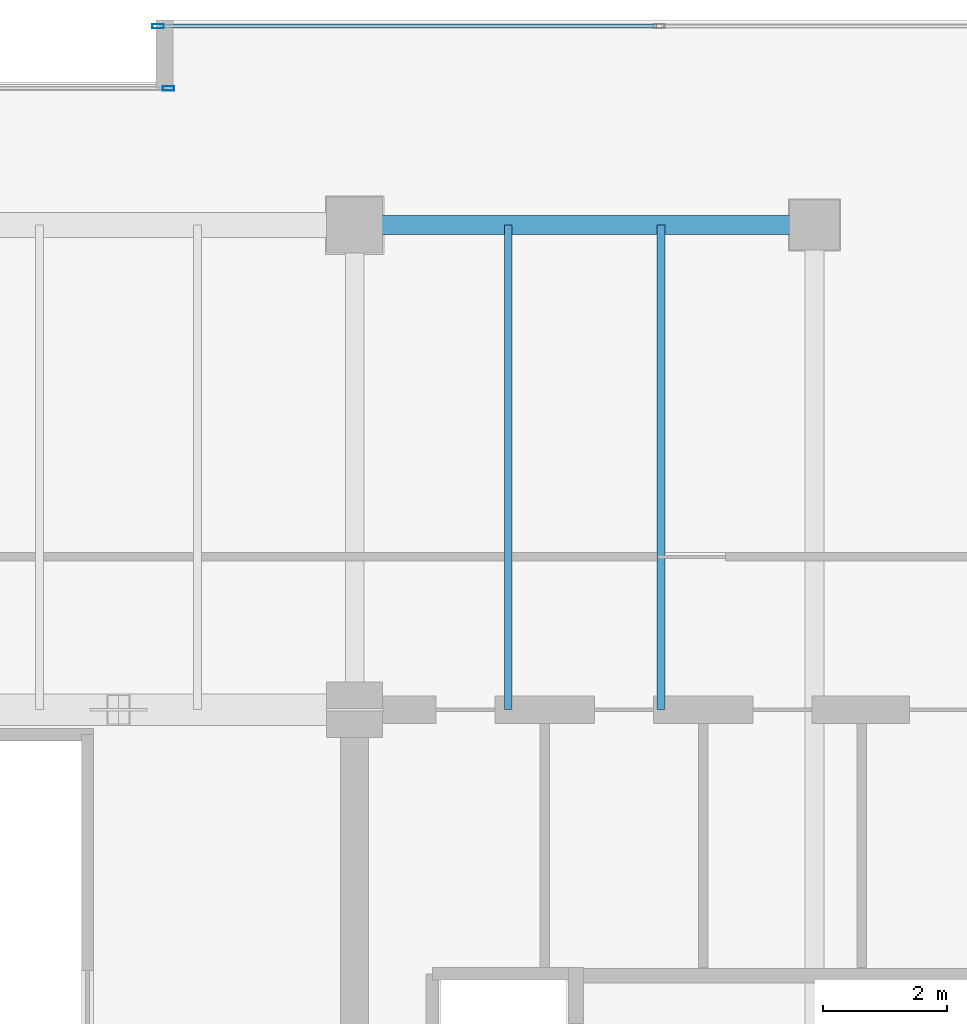
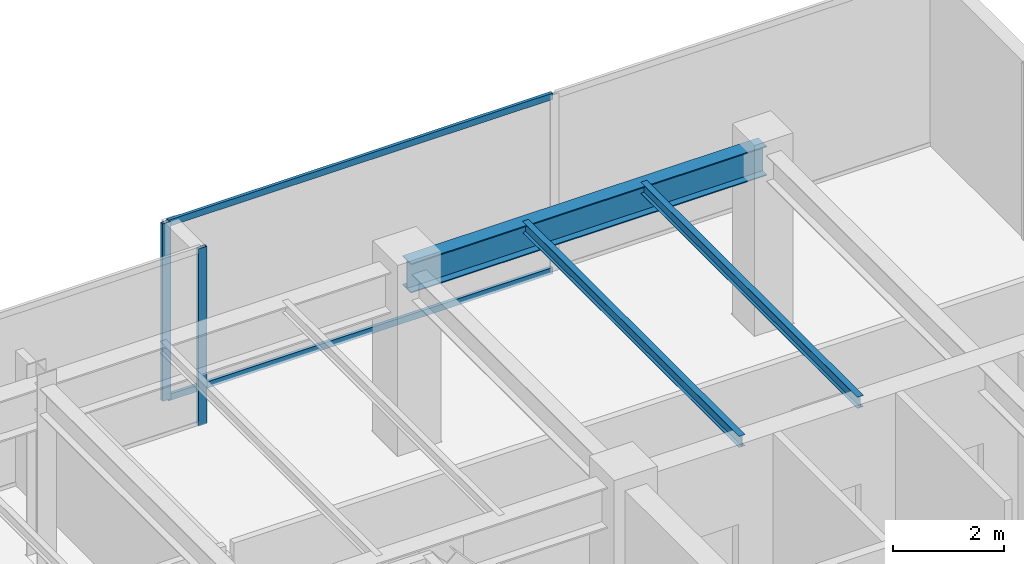
# One storey, part 23 of 32: 4 members, 3 beams, 2 elements without a shape of their own.
"""IFC4 building model written with IfcOpenShell, lengths in metres."""

from ifc_helpers import new_model, si_unit, direction, frame, origin, origin_2d, place, context, subcontext, project, spatial, hollow_rectangle, i_section, extrude, source, transform, mapped, material, layer, layer_set, material_profile, profile_set, type_object, type_shapes, element, aggregate, save


model = new_model("IFC4")

# Units and contexts
model_context = context("Model", 3, precision=1e-05, world=origin(), true_north=direction((0.0, 1.0)))
body_context = subcontext(model_context, "Body", "Model", "MODEL_VIEW")
ifc_project = project(units=[si_unit("LENGTHUNIT", "METRE"), si_unit("AREAUNIT", "SQUARE_METRE"), si_unit("VOLUMEUNIT", "CUBIC_METRE"), si_unit("PLANEANGLEUNIT", "RADIAN"), si_unit("MASSUNIT", "GRAM", prefix="KILO")], contexts=[model_context])

# Site, building, storey
site_placement = place(None, origin())
site = spatial("IfcSite", under=ifc_project, at=site_placement, CompositionType="ELEMENT")
building_placement = place(site_placement, origin())
building = spatial("IfcBuilding", under=site, at=building_placement, Name="Haelvirn Gate Laboratories", CompositionType="ELEMENT")
storey_placement = place(building_placement, frame((0.0, 0.0, 314.39990234375)))
storey = spatial("IfcBuildingStorey", under=building, at=storey_placement, Name="L75", CompositionType="ELEMENT", Elevation=314.39990234375)

# Beams
ifc_material_1 = material(Name="Steel SM355", Category="steel")
ifc_material_profile_1 = material_profile(ifc_material_1, i_section(OverallWidth=0.300048828125, OverallDepth=0.64990234375, WebThickness=0.012939453125, FlangeThickness=0.02197265625, at=origin_2d()), Name="H-650x300x13x22")
ifc_profile_set_1 = profile_set([ifc_material_profile_1], Name="Steel SM355")
beam_type_1 = type_object("IfcBeamType", Name="BM-G-650", PredefinedType="BEAM", material=ifc_profile_set_1)
shared_shape_1 = source(origin(), body_context, "Body", "SweptSolid", [
    extrude(i_section(OverallWidth=0.300048828125, OverallDepth=0.64990234375, WebThickness=0.012939453125, FlangeThickness=0.02197265625, at=origin_2d()), origin(), (0.0, 0.0, 1.0), 7.39990234375),
])
type_shapes(beam_type_1, [shared_shape_1])
beam_placement = place(storey_placement, frame((52.60009765625, 41.60009765625, 3.5751953125), z_axis=(1.0, 0.0, 0.0), x_axis=(0.0, 1.0, 0.0)))
element("IfcBeam", 1, at=beam_placement, inside=storey, type_object=beam_type_1, Name="L75 Primary Girder Y41.6 (52.6-60.0)", PredefinedType="BEAM", context=body_context, shape_type="MappedRepresentation", body=[
    mapped(shared_shape_1, transform((0.0, 0.0, 0.0), scale=1.0)),
])
ifc_material_profile_2 = material_profile(ifc_material_1, i_section(OverallWidth=0.125, OverallDepth=0.25, WebThickness=0.006103515625, FlangeThickness=0.009033203125, at=origin_2d()), Name="H-250x125x6x9")
ifc_profile_set_2 = profile_set([ifc_material_profile_2], Name="Steel SM355")
beam_type_2 = type_object("IfcBeamType", Name="BM-J-250", PredefinedType="JOIST", material=ifc_profile_set_2)
shared_shape_2 = source(origin(), body_context, "Body", "SweptSolid", [
    extrude(i_section(OverallWidth=0.125, OverallDepth=0.25, WebThickness=0.006103515625, FlangeThickness=0.009033203125, at=origin_2d()), origin(), (0.0, 0.0, 1.0), 7.800048828125),
])
type_shapes(beam_type_2, [shared_shape_2])
for number, where, z_axis, x_axis, name in (
    (2, (55.070068359375, 33.800048828125, 3.775146484375), (0.0, 1.0, 0.0), (-1.0, 0.0, 0.0), "L75 Composite Lab Joist North X55.07"),
    (3, (57.530029296875, 33.800048828125, 3.775146484375), (0.0, 1.0, 0.0), (-1.0, 0.0, 0.0), "L75 Composite Lab Joist North X57.53"),
):
    element("IfcBeam", number, at=place(storey_placement, frame(where, z_axis=z_axis, x_axis=x_axis)), inside=storey, type_object=beam_type_2, Name=name, PredefinedType="JOIST", context=body_context, shape_type="MappedRepresentation", body=[
        mapped(shared_shape_2, transform((0.0, 0.0, 0.0), scale=1.0)),
    ])

# Curtain wall, members
ifc_material_2 = material(Name="Anodised bronze unitised aluminium & triple low-E glass", Category="aluminium")
ifc_layer = layer(ifc_material_2, 0.176025390625, Name="CW-SYS-4")
ifc_layer_set = layer_set([ifc_layer], Name="Anodised bronze unitised aluminium & triple low-E glass")
curtain_wall_type = type_object("IfcCurtainWallType", Name="CW-SYS-4", PredefinedType="NOTDEFINED", material=ifc_layer_set)
curtain_wall_1_placement = place(storey_placement, origin())
curtain_wall_1 = element("IfcCurtainWall", 4, at=curtain_wall_1_placement, inside=storey, type_object=curtain_wall_type, Name="L75 Unitised Curtain Wall CW-L75-P0-E10-1", PredefinedType="NOTDEFINED")
ifc_material_3 = material(Name="Extruded aluminium 6063-T6 (anodised bronze)", Category="aluminium")
ifc_material_profile_3 = material_profile(ifc_material_3, hollow_rectangle(XDim=0.06494140625, YDim=0.139892578125, WallThickness=0.00390625, at=origin_2d()), Name="CWT-140x65x4")
ifc_profile_set_3 = profile_set([ifc_material_profile_3], Name="Extruded aluminium 6063-T6 (anodised bronze)")
member_type_1 = type_object("IfcMemberType", Name="CWT-T140", PredefinedType="USERDEFINED", material=ifc_profile_set_3)
shared_shape_3 = source(origin(), body_context, "Body", "SweptSolid", [
    extrude(hollow_rectangle(XDim=0.06494140625, YDim=0.139892578125, WallThickness=0.00390625, at=origin_2d()), origin(), (0.0, 0.0, 1.0), 7.9951171875),
])
type_shapes(member_type_1, [shared_shape_3])
member_1_placement = place(storey_placement, frame((49.469970703125, 44.800048828125, 0.03271484375), z_axis=(1.0, 0.0, 0.0), x_axis=(0.0, 1.0, 0.0)))
member_1 = element("IfcMember", 5, at=member_1_placement, type_object=member_type_1, Name="CW4 transom 1.1", ObjectType="TRANSOM", PredefinedType="USERDEFINED", context=body_context, shape_type="MappedRepresentation", body=[
    mapped(shared_shape_3, transform((0.0, 0.0, 0.0), scale=1.0)),
])
member_2_placement = place(storey_placement, frame((49.469970703125, 44.800048828125, 3.86767578125), z_axis=(1.0, 0.0, 0.0), x_axis=(0.0, 1.0, 0.0)))
member_2 = element("IfcMember", 6, at=member_2_placement, type_object=member_type_1, Name="CW4 transom 1.2", ObjectType="TRANSOM", PredefinedType="USERDEFINED", context=body_context, shape_type="MappedRepresentation", body=[
    mapped(shared_shape_3, transform((0.0, 0.0, 0.0), scale=1.0)),
])
ifc_material_profile_4 = material_profile(ifc_material_3, hollow_rectangle(XDim=0.070068359375, YDim=0.179931640625, WallThickness=0.0048828125, at=origin_2d()), Name="CWM-180x70x5")
ifc_profile_set_4 = profile_set([ifc_material_profile_4], Name="Extruded aluminium 6063-T6 (anodised bronze)")
member_type_2 = type_object("IfcMemberType", Name="CWM-T180", PredefinedType="MULLION", material=ifc_profile_set_4)
shared_shape_4 = source(origin(), body_context, "Body", "SweptSolid", [
    extrude(hollow_rectangle(XDim=0.070068359375, YDim=0.179931640625, WallThickness=0.0048828125, at=origin_2d()), origin(), (0.0, 0.0, 1.0), 3.900146484375),
])
type_shapes(member_type_2, [shared_shape_4])
member_3_placement = place(storey_placement, frame((49.43505859375, 44.800048828125, 0.0), z_axis=(0.0, 0.0, 1.0), x_axis=(0.0, 1.0, 0.0)))
member_3 = element("IfcMember", 7, at=member_3_placement, type_object=member_type_2, Name="CW4 mullion 1", PredefinedType="MULLION", context=body_context, shape_type="MappedRepresentation", body=[
    mapped(shared_shape_4, transform((0.0, 0.0, 0.0), scale=1.0)),
])
aggregate(curtain_wall_1, [member_3, member_1, member_2])

# Curtain wall, member
curtain_wall_2_placement = place(storey_placement, origin())
curtain_wall_2 = element("IfcCurtainWall", 8, at=curtain_wall_2_placement, inside=storey, type_object=curtain_wall_type, Name="L75 Unitised Curtain Wall CW-L75-P0-E12-1", PredefinedType="NOTDEFINED")
member_4_placement = place(storey_placement, frame((49.60498046875, 43.800048828125, 0.0), z_axis=(0.0, 0.0, 1.0), x_axis=(0.0, 1.0, 0.0)))
member_4 = element("IfcMember", 9, at=member_4_placement, type_object=member_type_2, Name="CW4 mullion 3", PredefinedType="MULLION", context=body_context, shape_type="MappedRepresentation", body=[
    mapped(shared_shape_4, transform((0.0, 0.0, 0.0), scale=1.0)),
])
aggregate(curtain_wall_2, [member_4])

save(model, "model.ifc")
